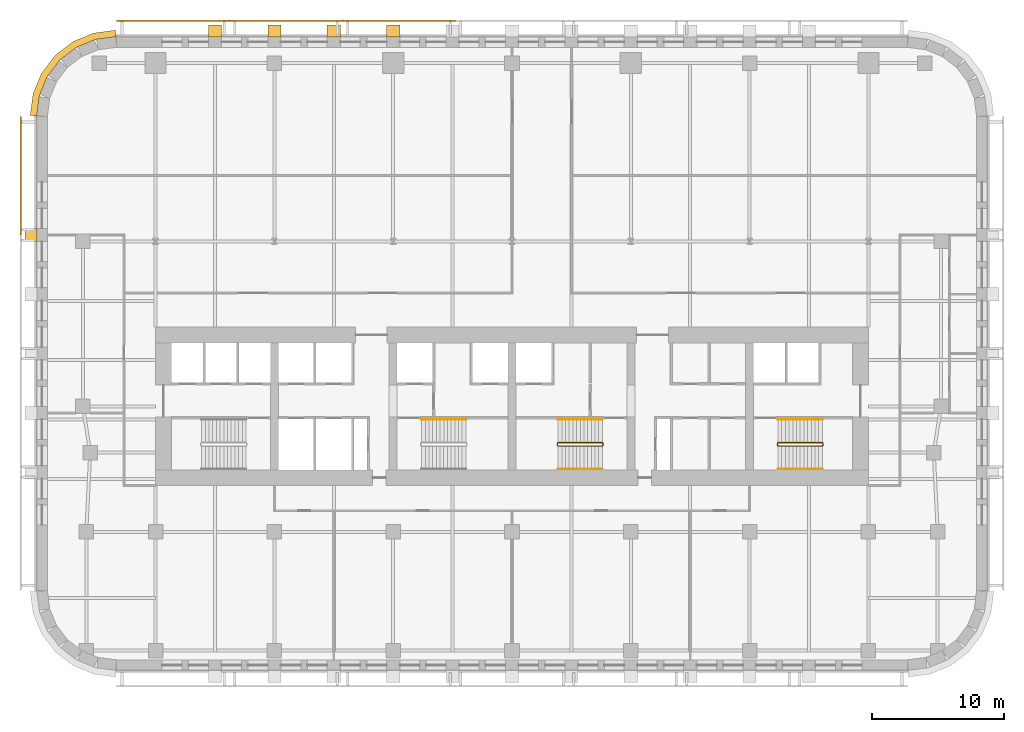
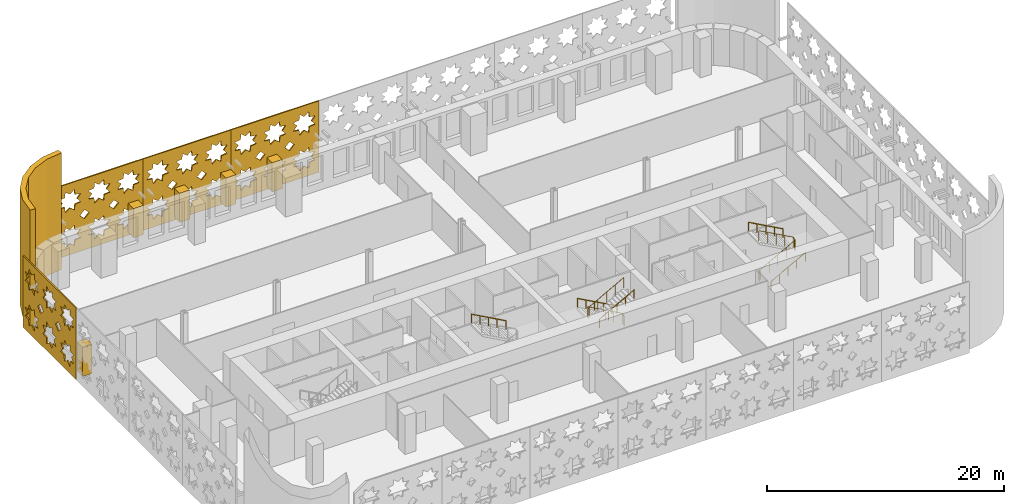
# One storey, part 13 of 15: 10 coverings, 7 railings.
"""IFC4 building model written with IfcOpenShell, lengths in metres."""

from ifc_helpers import new_model, si_unit, direction, frame, origin, origin_2d, place, context, subcontext, project, spatial, polyline, circle, outline, extrude, material, layer, layer_set, type_object, element, save


model = new_model("IFC4")

# Units and contexts
model_context = context("Model", 3, precision=1e-05, world=origin(), true_north=direction((0.0, 1.0)))
body_context = subcontext(model_context, "Body", "Model", "MODEL_VIEW")
ifc_project = project(units=[si_unit("LENGTHUNIT", "METRE"), si_unit("AREAUNIT", "SQUARE_METRE"), si_unit("VOLUMEUNIT", "CUBIC_METRE"), si_unit("PLANEANGLEUNIT", "RADIAN"), si_unit("MASSUNIT", "GRAM", prefix="KILO")], contexts=[model_context])

# Site, building, storey
site_placement = place(None, origin())
site = spatial("IfcSite", under=ifc_project, at=site_placement, CompositionType="ELEMENT")
building_placement = place(site_placement, origin())
building = spatial("IfcBuilding", under=site, at=building_placement, Name="Zellij Exchange Tower", CompositionType="ELEMENT")
storey_placement = place(building_placement, frame((0.0, 0.0, 76.5)))
storey = spatial("IfcBuildingStorey", under=building, at=storey_placement, Name="L15", CompositionType="ELEMENT", Elevation=76.5)

# Railings
ifc_material_1 = material(Name="Stainless steel", Category="steel")
railing_type_1 = type_object("IfcRailingType", Name="CORE-RG stair guard", PredefinedType="GUARDRAIL", material=ifc_material_1)
railing_1_placement = place(storey_placement, frame((6.89990234375, -10.800048828125, 0.0)))
element("IfcRailing", 1, at=railing_1_placement, inside=storey, type_object=railing_type_1, Name="ST3 stair guard L15", PredefinedType="GUARDRAIL", context=body_context, shape_type="SweptSolid", body=[
    extrude(circle(Radius=0.02392578125, at=origin_2d()), frame((0.0, 0.0, 1.076171875), z_axis=(0.0, -1.0, 0.0), x_axis=(1.0, 0.0, 0.0)), (0.0, 0.0, 1.0), 0.14990234375),
    extrude(circle(Radius=0.02392578125, at=origin_2d()), frame((0.0, -0.14990234375, 1.076171875), z_axis=(-0.193691321961, 0.777613689637, 0.598164376644), x_axis=(-0.970351222016, -0.241699205484, 0.0)), (0.0, 0.0, 1.0), 0.257080078125),
    extrude(circle(Radius=0.02392578125, at=origin_2d()), frame((-0.0498046875, 0.050048828125, 1.22998046875), z_axis=(-0.876421534553, 0.0, 0.481544695509), x_axis=(0.0, -1.0, 0.0)), (0.0, 0.0, 1.0), 3.833984375),
    extrude(circle(Radius=0.02392578125, at=origin_2d()), frame((-3.409912109375, 0.050048828125, 3.076171875), z_axis=(-0.707106781187, -0.707106781187, 0.0), x_axis=(0.707106781187, -0.707106781187, 0.0)), (0.0, 0.0, 1.0), 0.07080078125),
    extrude(circle(Radius=0.02392578125, at=origin_2d()), frame((-3.4599609375, 0.0, 3.076171875), z_axis=(0.0, -1.0, 0.0), x_axis=(1.0, 0.0, 0.0)), (0.0, 0.0, 1.0), 0.14990234375),
    extrude(circle(Radius=0.02392578125, at=origin_2d()), frame((-3.4599609375, -0.14990234375, 3.076171875), z_axis=(0.295599637079, -0.295599637079, 0.908428152975), x_axis=(0.707106781187, 0.707106781187, 0.0)), (0.0, 0.0, 1.0), 0.16943359375),
    extrude(circle(Radius=0.02392578125, at=origin_2d()), frame((-3.409912109375, -0.199951171875, 3.22998046875), z_axis=(0.876421534553, 0.0, 0.481544695509), x_axis=(0.0, 1.0, 0.0)), (0.0, 0.0, 1.0), 3.833984375),
    extrude(circle(Radius=0.02099609375, at=origin_2d()), origin(), (0.0, 0.0, 1.0), 1.052001953125),
    extrude(circle(Radius=0.02099609375, at=origin_2d()), frame((0.0, -0.14990234375, 0.0)), (0.0, 0.0, 1.0), 1.052001953125),
    extrude(circle(Radius=0.02099609375, at=origin_2d()), frame((-0.0498046875, 0.050048828125, 0.15380859375)), (0.0, 0.0, 1.0), 1.052001953125),
    extrude(circle(Radius=0.02099609375, at=origin_2d()), frame((-0.889892578125, 0.050048828125, 0.615234375)), (0.0, 0.0, 1.0), 1.052001953125),
    extrude(circle(Radius=0.02099609375, at=origin_2d()), frame((-1.72998046875, 0.050048828125, 1.076904296875)), (0.0, 0.0, 1.0), 1.052001953125),
    extrude(circle(Radius=0.02099609375, at=origin_2d()), frame((-2.56982421875, 0.050048828125, 1.53857421875)), (0.0, 0.0, 1.0), 1.052001953125),
    extrude(circle(Radius=0.02099609375, at=origin_2d()), frame((-3.409912109375, 0.050048828125, 2.0)), (0.0, 0.0, 1.0), 1.052001953125),
    extrude(circle(Radius=0.02099609375, at=origin_2d()), frame((-3.4599609375, 0.0, 2.0)), (0.0, 0.0, 1.0), 1.052001953125),
    extrude(circle(Radius=0.02099609375, at=origin_2d()), frame((-3.4599609375, -0.14990234375, 2.0)), (0.0, 0.0, 1.0), 1.052001953125),
    extrude(circle(Radius=0.02099609375, at=origin_2d()), frame((-3.409912109375, -0.199951171875, 2.15380859375)), (0.0, 0.0, 1.0), 1.052001953125),
    extrude(circle(Radius=0.02099609375, at=origin_2d()), frame((-2.56982421875, -0.199951171875, 2.615234375)), (0.0, 0.0, 1.0), 1.052001953125),
    extrude(circle(Radius=0.02099609375, at=origin_2d()), frame((-1.72998046875, -0.199951171875, 3.076904296875)), (0.0, 0.0, 1.0), 1.052001953125),
    extrude(circle(Radius=0.02099609375, at=origin_2d()), frame((-0.889892578125, -0.199951171875, 3.53857421875)), (0.0, 0.0, 1.0), 1.052001953125),
    extrude(circle(Radius=0.02099609375, at=origin_2d()), frame((-0.0498046875, -0.199951171875, 4.0)), (0.0, 0.0, 1.0), 1.052001953125),
])
railing_2_placement = place(storey_placement, frame((20.10009765625, -10.949951171875, 0.0)))
element("IfcRailing", 2, at=railing_2_placement, inside=storey, type_object=railing_type_1, Name="ST4 stair guard L15", PredefinedType="GUARDRAIL", context=body_context, shape_type="SweptSolid", body=[
    extrude(circle(Radius=0.02392578125, at=origin_2d()), frame((0.0, 0.0, 1.076171875), z_axis=(0.0, 1.0, 0.0), x_axis=(-1.0, 0.0, 0.0)), (0.0, 0.0, 1.0), 0.14990234375),
    extrude(circle(Radius=0.02392578125, at=origin_2d()), frame((0.0, 0.14990234375, 1.076171875), z_axis=(0.193691321961, -0.777613689637, 0.598164376644), x_axis=(0.970351222016, 0.241699205484, 0.0)), (0.0, 0.0, 1.0), 0.257080078125),
    extrude(circle(Radius=0.02392578125, at=origin_2d()), frame((0.0498046875, -0.050048828125, 1.22998046875), z_axis=(0.876421534553, 0.0, 0.481544695509), x_axis=(0.0, 1.0, 0.0)), (0.0, 0.0, 1.0), 3.833984375),
    extrude(circle(Radius=0.02392578125, at=origin_2d()), frame((3.409912109375, -0.050048828125, 3.076171875), z_axis=(0.707106781187, 0.707106781187, 0.0), x_axis=(-0.707106781187, 0.707106781187, 0.0)), (0.0, 0.0, 1.0), 0.07080078125),
    extrude(circle(Radius=0.02392578125, at=origin_2d()), frame((3.4599609375, 0.0, 3.076171875), z_axis=(0.0, 1.0, 0.0), x_axis=(-1.0, 0.0, 0.0)), (0.0, 0.0, 1.0), 0.14990234375),
    extrude(circle(Radius=0.02392578125, at=origin_2d()), frame((3.4599609375, 0.14990234375, 3.076171875), z_axis=(-0.295599637079, 0.295599637079, 0.908428152975), x_axis=(-0.707106781187, -0.707106781187, 0.0)), (0.0, 0.0, 1.0), 0.16943359375),
    extrude(circle(Radius=0.02392578125, at=origin_2d()), frame((3.409912109375, 0.199951171875, 3.22998046875), z_axis=(-0.876421534553, 0.0, 0.481544695509), x_axis=(0.0, -1.0, 0.0)), (0.0, 0.0, 1.0), 3.833984375),
    extrude(circle(Radius=0.02099609375, at=origin_2d()), origin(), (0.0, 0.0, 1.0), 1.052001953125),
    extrude(circle(Radius=0.02099609375, at=origin_2d()), frame((0.0, 0.14990234375, 0.0)), (0.0, 0.0, 1.0), 1.052001953125),
    extrude(circle(Radius=0.02099609375, at=origin_2d()), frame((0.0498046875, -0.050048828125, 0.15380859375)), (0.0, 0.0, 1.0), 1.052001953125),
    extrude(circle(Radius=0.02099609375, at=origin_2d()), frame((0.889892578125, -0.050048828125, 0.615234375)), (0.0, 0.0, 1.0), 1.052001953125),
    extrude(circle(Radius=0.02099609375, at=origin_2d()), frame((1.72998046875, -0.050048828125, 1.076904296875)), (0.0, 0.0, 1.0), 1.052001953125),
    extrude(circle(Radius=0.02099609375, at=origin_2d()), frame((2.56982421875, -0.050048828125, 1.53857421875)), (0.0, 0.0, 1.0), 1.052001953125),
    extrude(circle(Radius=0.02099609375, at=origin_2d()), frame((3.409912109375, -0.050048828125, 2.0)), (0.0, 0.0, 1.0), 1.052001953125),
    extrude(circle(Radius=0.02099609375, at=origin_2d()), frame((3.4599609375, 0.0, 2.0)), (0.0, 0.0, 1.0), 1.052001953125),
    extrude(circle(Radius=0.02099609375, at=origin_2d()), frame((3.4599609375, 0.14990234375, 2.0)), (0.0, 0.0, 1.0), 1.052001953125),
    extrude(circle(Radius=0.02099609375, at=origin_2d()), frame((3.409912109375, 0.199951171875, 2.15380859375)), (0.0, 0.0, 1.0), 1.052001953125),
    extrude(circle(Radius=0.02099609375, at=origin_2d()), frame((2.56982421875, 0.199951171875, 2.615234375)), (0.0, 0.0, 1.0), 1.052001953125),
    extrude(circle(Radius=0.02099609375, at=origin_2d()), frame((1.72998046875, 0.199951171875, 3.076904296875)), (0.0, 0.0, 1.0), 1.052001953125),
    extrude(circle(Radius=0.02099609375, at=origin_2d()), frame((0.889892578125, 0.199951171875, 3.53857421875)), (0.0, 0.0, 1.0), 1.052001953125),
    extrude(circle(Radius=0.02099609375, at=origin_2d()), frame((0.0498046875, 0.199951171875, 4.0)), (0.0, 0.0, 1.0), 1.052001953125),
])
railing_type_2 = type_object("IfcRailingType", Name="CORE-RH stair handrail", PredefinedType="HANDRAIL", material=ifc_material_1)
for number, where, name in (
    (3, (-3.489990234375, -9.0, 2.15380859375), "ST2 stair handrail L15"),
    (4, (6.85009765625, -9.0, 0.15380859375), "ST3 stair handrail L15"),
):
    element("IfcRailing", number, at=place(storey_placement, frame(where)), inside=storey, type_object=railing_type_2, Name=name, PredefinedType="HANDRAIL", context=body_context, shape_type="SweptSolid", body=[
        extrude(circle(Radius=0.02392578125, at=origin_2d()), frame((0.0, 0.0, 0.8759765625), z_axis=(-0.876421534553, 0.0, 0.481544695509), x_axis=(0.0, -1.0, 0.0)), (0.0, 0.0, 1.0), 3.833984375),
        extrude(circle(Radius=0.02099609375, at=origin_2d()), origin(), (0.0, 0.0, 1.0), 0.851806640625),
        extrude(circle(Radius=0.02099609375, at=origin_2d()), frame((-0.840087890625, 0.0, 0.46142578125)), (0.0, 0.0, 1.0), 0.851806640625),
        extrude(circle(Radius=0.02099609375, at=origin_2d()), frame((-1.68017578125, 0.0, 0.923095703125)), (0.0, 0.0, 1.0), 0.851806640625),
        extrude(circle(Radius=0.02099609375, at=origin_2d()), frame((-2.52001953125, 0.0, 1.384765625)), (0.0, 0.0, 1.0), 0.851806640625),
        extrude(circle(Radius=0.02099609375, at=origin_2d()), frame((-3.360107421875, 0.0, 1.84619140625)), (0.0, 0.0, 1.0), 0.851806640625),
    ])
for number, where, name in (
    (5, (3.489990234375, -12.75, 2.15380859375), "ST3 stair handrail L15"),
    (6, (20.14990234375, -12.75, 0.15380859375), "ST4 stair handrail L15"),
):
    element("IfcRailing", number, at=place(storey_placement, frame(where)), inside=storey, type_object=railing_type_2, Name=name, PredefinedType="HANDRAIL", context=body_context, shape_type="SweptSolid", body=[
        extrude(circle(Radius=0.02392578125, at=origin_2d()), frame((0.0, 0.0, 0.8759765625), z_axis=(0.876421534553, 0.0, 0.481544695509), x_axis=(0.0, 1.0, 0.0)), (0.0, 0.0, 1.0), 3.833984375),
        extrude(circle(Radius=0.02099609375, at=origin_2d()), origin(), (0.0, 0.0, 1.0), 0.851806640625),
        extrude(circle(Radius=0.02099609375, at=origin_2d()), frame((0.840087890625, 0.0, 0.46142578125)), (0.0, 0.0, 1.0), 0.851806640625),
        extrude(circle(Radius=0.02099609375, at=origin_2d()), frame((1.68017578125, 0.0, 0.923095703125)), (0.0, 0.0, 1.0), 0.851806640625),
        extrude(circle(Radius=0.02099609375, at=origin_2d()), frame((2.52001953125, 0.0, 1.384765625)), (0.0, 0.0, 1.0), 0.851806640625),
        extrude(circle(Radius=0.02099609375, at=origin_2d()), frame((3.360107421875, 0.0, 1.84619140625)), (0.0, 0.0, 1.0), 0.851806640625),
    ])
railing_3_placement = place(storey_placement, frame((23.510009765625, -9.0, 2.15380859375)))
element("IfcRailing", 7, at=railing_3_placement, inside=storey, type_object=railing_type_2, Name="ST4 stair handrail L15", PredefinedType="HANDRAIL", context=body_context, shape_type="SweptSolid", body=[
    extrude(circle(Radius=0.02392578125, at=origin_2d()), frame((0.0, 0.0, 0.8759765625), z_axis=(-0.876421534553, 0.0, 0.481544695509), x_axis=(0.0, -1.0, 0.0)), (0.0, 0.0, 1.0), 3.833984375),
    extrude(circle(Radius=0.02099609375, at=origin_2d()), origin(), (0.0, 0.0, 1.0), 0.851806640625),
    extrude(circle(Radius=0.02099609375, at=origin_2d()), frame((-0.840087890625, 0.0, 0.46142578125)), (0.0, 0.0, 1.0), 0.851806640625),
    extrude(circle(Radius=0.02099609375, at=origin_2d()), frame((-1.68017578125, 0.0, 0.923095703125)), (0.0, 0.0, 1.0), 0.851806640625),
    extrude(circle(Radius=0.02099609375, at=origin_2d()), frame((-2.52001953125, 0.0, 1.384765625)), (0.0, 0.0, 1.0), 0.851806640625),
    extrude(circle(Radius=0.02099609375, at=origin_2d()), frame((-3.360107421875, 0.0, 1.84619140625)), (0.0, 0.0, 1.0), 0.851806640625),
])

# Coverings
ifc_material_2 = material(Name="Limestone cladding", Category="masonry")
ifc_layer_1 = layer(ifc_material_2, 0.5)
ifc_layer_set_1 = layer_set([ifc_layer_1], Name="Limestone cladding")
covering_type_1 = type_object("IfcCoveringType", Name="ENV-CV12 Stone corner pier 500", PredefinedType="CLADDING", material=ifc_layer_set_1)
covering_1_placement = place(storey_placement, origin())
element("IfcCovering", 8, at=covering_1_placement, inside=storey, type_object=covering_type_1, Name="Stone corner pier", PredefinedType="CLADDING", context=body_context, shape_type="SweptSolid", body=[
    extrude(outline(polyline([(-30.0, 20.0), (-31.552978515625, 19.795654296875), (-33.0, 19.1962890625), (-34.24267578125, 18.24267578125), (-35.1962890625, 17.0), (-35.795654296875, 15.552978515625), (-36.0, 14.0), (-36.5, 14.03271484375), (-36.28271484375, 15.683349609375), (-35.6328125, 17.252197265625), (-34.59912109375, 18.59912109375), (-33.252197265625, 19.6328125), (-31.683349609375, 20.28271484375), (-30.03271484375, 20.5), (-30.0, 20.0)])), origin(), (0.0, 0.0, 1.0), 12.0),
])
covering_type_2 = type_object("IfcCoveringType", Name="ENV-CV2 Stone pier 1000x900", PredefinedType="CLADDING", material=ifc_material_2)
covering_2_placement = place(storey_placement, frame((0.0, 0.0, 0.800048828125)))
element("IfcCovering", 9, at=covering_2_placement, inside=storey, type_object=covering_type_2, Name="Stone pier", PredefinedType="CLADDING", context=body_context, shape_type="SweptSolid", body=[
    extrude(outline(polyline([(-8.5, 20.0), (-9.5, 20.0), (-9.5, 20.89990234375), (-8.5, 20.89990234375), (-8.5, 20.0)])), origin(), (0.0, 0.0, 1.0), 3.0),
])
covering_3_placement = place(storey_placement, frame((0.0, 0.0, 0.800048828125)))
element("IfcCovering", 10, at=covering_3_placement, inside=storey, type_object=covering_type_2, Name="Stone pier", PredefinedType="CLADDING", context=body_context, shape_type="SweptSolid", body=[
    extrude(outline(polyline([(-13.0, 20.0), (-14.0, 20.0), (-14.0, 20.89990234375), (-13.0, 20.89990234375), (-13.0, 20.0)])), origin(), (0.0, 0.0, 1.0), 3.0),
])
covering_4_placement = place(storey_placement, frame((0.0, 0.0, 0.800048828125)))
element("IfcCovering", 11, at=covering_4_placement, inside=storey, type_object=covering_type_2, Name="Stone pier", PredefinedType="CLADDING", context=body_context, shape_type="SweptSolid", body=[
    extrude(outline(polyline([(-17.5, 20.0), (-18.5, 20.0), (-18.5, 20.89990234375), (-17.5, 20.89990234375), (-17.5, 20.0)])), origin(), (0.0, 0.0, 1.0), 3.0),
])
covering_5_placement = place(storey_placement, frame((0.0, 0.0, 0.800048828125)))
element("IfcCovering", 12, at=covering_5_placement, inside=storey, type_object=covering_type_2, Name="Stone pier", PredefinedType="CLADDING", context=body_context, shape_type="SweptSolid", body=[
    extrude(outline(polyline([(-22.0, 20.0), (-23.0, 20.0), (-23.0, 20.89990234375), (-22.0, 20.89990234375), (-22.0, 20.0)])), origin(), (0.0, 0.0, 1.0), 3.0),
])
covering_6_placement = place(storey_placement, frame((0.0, 0.0, 0.800048828125)))
element("IfcCovering", 13, at=covering_6_placement, inside=storey, type_object=covering_type_2, Name="Stone pier", PredefinedType="CLADDING", context=body_context, shape_type="SweptSolid", body=[
    extrude(outline(polyline([(-36.0, 5.48681640625), (-36.0, 4.48681640625), (-36.89990234375, 4.48681640625), (-36.89990234375, 5.48681640625), (-36.0, 5.48681640625)])), origin(), (0.0, 0.0, 1.0), 3.0),
])
ifc_material_3 = material(Name="Limestone screen", Category="masonry")
ifc_layer_2 = layer(ifc_material_3, 0.1201171875)
ifc_layer_set_2 = layer_set([ifc_layer_2], Name="Limestone screen")
covering_type_3 = type_object("IfcCoveringType", Name="ENV-SC1 Pierced stone screen 120", PredefinedType="USERDEFINED", material=ifc_layer_set_2)
covering_7_placement = place(storey_placement, frame((-37.2099609375, 13.947509765625, 0.300048828125), z_axis=(0.0, 0.0, 1.0), x_axis=(0.0, -1.0, 0.0)))
element("IfcCovering", 14, at=covering_7_placement, inside=storey, type_object=covering_type_3, Name="Pierced stone screen", ObjectType="SCREEN", PredefinedType="USERDEFINED", context=body_context, shape_type="SweptSolid", body=[
    extrude(outline(polyline([(0.0, 0.0), (8.973876953125, 0.0), (8.973876953125, 7.35009765625), (0.0, 7.35009765625), (0.0, 0.0)]), holes=[polyline([(2.60107421875, 2.29541015625), (2.020263671875, 2.362060546875), (1.95361328125, 2.94287109375), (1.49560546875, 2.579345703125), (1.03759765625, 2.94287109375), (0.97119140625, 2.362060546875), (0.39013671875, 2.29541015625), (0.75390625, 1.83740234375), (0.39013671875, 1.379638671875), (0.97119140625, 1.31298828125), (1.03759765625, 0.732177734375), (1.49560546875, 1.095703125), (1.95361328125, 0.732177734375), (2.020263671875, 1.31298828125), (2.60107421875, 1.379638671875), (2.237548828125, 1.83740234375), (2.60107421875, 2.29541015625)]), polyline([(2.60107421875, 5.970458984375), (2.020263671875, 6.037109375), (1.95361328125, 6.617919921875), (1.49560546875, 6.25439453125), (1.03759765625, 6.617919921875), (0.97119140625, 6.037109375), (0.39013671875, 5.970458984375), (0.75390625, 5.512451171875), (0.39013671875, 5.0546875), (0.97119140625, 4.98779296875), (1.03759765625, 4.406982421875), (1.49560546875, 4.770751953125), (1.95361328125, 4.406982421875), (2.020263671875, 4.98779296875), (2.60107421875, 5.0546875), (2.237548828125, 5.512451171875), (2.60107421875, 5.970458984375)]), polyline([(5.59228515625, 2.29541015625), (5.011474609375, 2.362060546875), (4.94482421875, 2.94287109375), (4.48681640625, 2.579345703125), (4.029052734375, 2.94287109375), (3.96240234375, 2.362060546875), (3.381591796875, 2.29541015625), (3.7451171875, 1.83740234375), (3.381591796875, 1.379638671875), (3.96240234375, 1.31298828125), (4.029052734375, 0.732177734375), (4.48681640625, 1.095703125), (4.94482421875, 0.732177734375), (5.011474609375, 1.31298828125), (5.59228515625, 1.379638671875), (5.228759765625, 1.83740234375), (5.59228515625, 2.29541015625)]), polyline([(5.59228515625, 5.970458984375), (5.011474609375, 6.037109375), (4.94482421875, 6.617919921875), (4.48681640625, 6.25439453125), (4.029052734375, 6.617919921875), (3.96240234375, 6.037109375), (3.381591796875, 5.970458984375), (3.7451171875, 5.512451171875), (3.381591796875, 5.0546875), (3.96240234375, 4.98779296875), (4.029052734375, 4.406982421875), (4.48681640625, 4.770751953125), (4.94482421875, 4.406982421875), (5.011474609375, 4.98779296875), (5.59228515625, 5.0546875), (5.228759765625, 5.512451171875), (5.59228515625, 5.970458984375)]), polyline([(8.58349609375, 2.29541015625), (8.002685546875, 2.362060546875), (7.93603515625, 2.94287109375), (7.478271484375, 2.579345703125), (7.020263671875, 2.94287109375), (6.95361328125, 2.362060546875), (6.372802734375, 2.29541015625), (6.736328125, 1.83740234375), (6.372802734375, 1.379638671875), (6.95361328125, 1.31298828125), (7.020263671875, 0.732177734375), (7.478271484375, 1.095703125), (7.93603515625, 0.732177734375), (8.002685546875, 1.31298828125), (8.58349609375, 1.379638671875), (8.219970703125, 1.83740234375), (8.58349609375, 2.29541015625)]), polyline([(8.58349609375, 5.970458984375), (8.002685546875, 6.037109375), (7.93603515625, 6.617919921875), (7.478271484375, 6.25439453125), (7.020263671875, 6.617919921875), (6.95361328125, 6.037109375), (6.372802734375, 5.970458984375), (6.736328125, 5.512451171875), (6.372802734375, 5.0546875), (6.95361328125, 4.98779296875), (7.020263671875, 4.406982421875), (7.478271484375, 4.770751953125), (7.93603515625, 4.406982421875), (8.002685546875, 4.98779296875), (8.58349609375, 5.0546875), (8.219970703125, 5.512451171875), (8.58349609375, 5.970458984375)]), polyline([(3.469970703125, 3.675048828125), (2.9912109375, 4.153564453125), (2.5126953125, 3.675048828125), (2.9912109375, 3.1962890625), (3.469970703125, 3.675048828125)]), polyline([(6.461181640625, 3.675048828125), (5.982421875, 4.153564453125), (5.50390625, 3.675048828125), (5.982421875, 3.1962890625), (6.461181640625, 3.675048828125)])]), frame((0.0, 0.06005859375, 0.0), z_axis=(0.0, -1.0, 0.0), x_axis=(1.0, 0.0, 0.0)), (0.0, 0.0, 1.0), 0.1201171875),
])
covering_8_placement = place(storey_placement, frame((-4.2783203125, 21.2099609375, 0.300048828125), z_axis=(0.0, 0.0, 1.0), x_axis=(-1.0, 0.0, 0.0)))
element("IfcCovering", 15, at=covering_8_placement, inside=storey, type_object=covering_type_3, Name="Pierced stone screen", ObjectType="SCREEN", PredefinedType="USERDEFINED", context=body_context, shape_type="SweptSolid", body=[
    extrude(outline(polyline([(0.0, 0.0), (8.556396484375, 0.0), (8.556396484375, 7.35009765625), (0.0, 7.35009765625), (0.0, 0.0)]), holes=[polyline([(2.47998046875, 2.274169921875), (1.92626953125, 2.337646484375), (1.86279296875, 2.8916015625), (1.426025390625, 2.544921875), (0.989501953125, 2.8916015625), (0.92578125, 2.337646484375), (0.3720703125, 2.274169921875), (0.71875, 1.83740234375), (0.3720703125, 1.40087890625), (0.92578125, 1.33740234375), (0.989501953125, 0.783447265625), (1.426025390625, 1.130126953125), (1.86279296875, 0.783447265625), (1.92626953125, 1.33740234375), (2.47998046875, 1.40087890625), (2.13330078125, 1.83740234375), (2.47998046875, 2.274169921875)]), polyline([(2.47998046875, 5.94921875), (1.92626953125, 6.0126953125), (1.86279296875, 6.56640625), (1.426025390625, 6.2197265625), (0.989501953125, 6.56640625), (0.92578125, 6.0126953125), (0.3720703125, 5.94921875), (0.71875, 5.512451171875), (0.3720703125, 5.075927734375), (0.92578125, 5.01220703125), (0.989501953125, 4.45849609375), (1.426025390625, 4.80517578125), (1.86279296875, 4.45849609375), (1.92626953125, 5.01220703125), (2.47998046875, 5.075927734375), (2.13330078125, 5.512451171875), (2.47998046875, 5.94921875)]), polyline([(5.332275390625, 2.274169921875), (4.7783203125, 2.337646484375), (4.71484375, 2.8916015625), (4.2783203125, 2.544921875), (3.841552734375, 2.8916015625), (3.778076171875, 2.337646484375), (3.22412109375, 2.274169921875), (3.57080078125, 1.83740234375), (3.22412109375, 1.40087890625), (3.778076171875, 1.33740234375), (3.841552734375, 0.783447265625), (4.2783203125, 1.130126953125), (4.71484375, 0.783447265625), (4.7783203125, 1.33740234375), (5.332275390625, 1.40087890625), (4.985595703125, 1.83740234375), (5.332275390625, 2.274169921875)]), polyline([(5.332275390625, 5.94921875), (4.7783203125, 6.0126953125), (4.71484375, 6.56640625), (4.2783203125, 6.2197265625), (3.841552734375, 6.56640625), (3.778076171875, 6.0126953125), (3.22412109375, 5.94921875), (3.57080078125, 5.512451171875), (3.22412109375, 5.075927734375), (3.778076171875, 5.01220703125), (3.841552734375, 4.45849609375), (4.2783203125, 4.80517578125), (4.71484375, 4.45849609375), (4.7783203125, 5.01220703125), (5.332275390625, 5.075927734375), (4.985595703125, 5.512451171875), (5.332275390625, 5.94921875)]), polyline([(8.184326171875, 2.274169921875), (7.630615234375, 2.337646484375), (7.56689453125, 2.8916015625), (7.13037109375, 2.544921875), (6.69384765625, 2.8916015625), (6.630126953125, 2.337646484375), (6.076416015625, 2.274169921875), (6.423095703125, 1.83740234375), (6.076416015625, 1.40087890625), (6.630126953125, 1.33740234375), (6.69384765625, 0.783447265625), (7.13037109375, 1.130126953125), (7.56689453125, 0.783447265625), (7.630615234375, 1.33740234375), (8.184326171875, 1.40087890625), (7.837646484375, 1.83740234375), (8.184326171875, 2.274169921875)]), polyline([(8.184326171875, 5.94921875), (7.630615234375, 6.0126953125), (7.56689453125, 6.56640625), (7.13037109375, 6.2197265625), (6.69384765625, 6.56640625), (6.630126953125, 6.0126953125), (6.076416015625, 5.94921875), (6.423095703125, 5.512451171875), (6.076416015625, 5.075927734375), (6.630126953125, 5.01220703125), (6.69384765625, 4.45849609375), (7.13037109375, 4.80517578125), (7.56689453125, 4.45849609375), (7.630615234375, 5.01220703125), (8.184326171875, 5.075927734375), (7.837646484375, 5.512451171875), (8.184326171875, 5.94921875)]), polyline([(3.30859375, 3.675048828125), (2.852294921875, 4.13134765625), (2.395751953125, 3.675048828125), (2.852294921875, 3.21875), (3.30859375, 3.675048828125)]), polyline([(6.16064453125, 3.675048828125), (5.704345703125, 4.13134765625), (5.248046875, 3.675048828125), (5.704345703125, 3.21875), (6.16064453125, 3.675048828125)])]), frame((0.0, 0.06005859375, 0.0), z_axis=(0.0, -1.0, 0.0), x_axis=(1.0, 0.0, 0.0)), (0.0, 0.0, 1.0), 0.1201171875),
])
covering_9_placement = place(storey_placement, frame((-12.834716796875, 21.2099609375, 0.300048828125), z_axis=(0.0, 0.0, 1.0), x_axis=(-1.0, 0.0, 0.0)))
element("IfcCovering", 16, at=covering_9_placement, inside=storey, type_object=covering_type_3, Name="Pierced stone screen", ObjectType="SCREEN", PredefinedType="USERDEFINED", context=body_context, shape_type="SweptSolid", body=[
    extrude(outline(polyline([(0.0, 0.0), (8.556396484375, 0.0), (8.556396484375, 7.35009765625), (0.0, 7.35009765625), (0.0, 0.0)]), holes=[polyline([(2.47998046875, 2.274169921875), (1.92626953125, 2.337646484375), (1.86279296875, 2.8916015625), (1.426025390625, 2.544921875), (0.989501953125, 2.8916015625), (0.92578125, 2.337646484375), (0.3720703125, 2.274169921875), (0.71875, 1.83740234375), (0.3720703125, 1.40087890625), (0.92578125, 1.33740234375), (0.989501953125, 0.783447265625), (1.426025390625, 1.130126953125), (1.86279296875, 0.783447265625), (1.92626953125, 1.33740234375), (2.47998046875, 1.40087890625), (2.13330078125, 1.83740234375), (2.47998046875, 2.274169921875)]), polyline([(2.47998046875, 5.94921875), (1.92626953125, 6.0126953125), (1.86279296875, 6.56640625), (1.426025390625, 6.2197265625), (0.989501953125, 6.56640625), (0.92578125, 6.0126953125), (0.3720703125, 5.94921875), (0.71875, 5.512451171875), (0.3720703125, 5.075927734375), (0.92578125, 5.01220703125), (0.989501953125, 4.45849609375), (1.426025390625, 4.80517578125), (1.86279296875, 4.45849609375), (1.92626953125, 5.01220703125), (2.47998046875, 5.075927734375), (2.13330078125, 5.512451171875), (2.47998046875, 5.94921875)]), polyline([(5.332275390625, 2.274169921875), (4.7783203125, 2.337646484375), (4.71484375, 2.8916015625), (4.2783203125, 2.544921875), (3.841552734375, 2.8916015625), (3.778076171875, 2.337646484375), (3.22412109375, 2.274169921875), (3.57080078125, 1.83740234375), (3.22412109375, 1.40087890625), (3.778076171875, 1.33740234375), (3.841552734375, 0.783447265625), (4.2783203125, 1.130126953125), (4.71484375, 0.783447265625), (4.7783203125, 1.33740234375), (5.332275390625, 1.40087890625), (4.985595703125, 1.83740234375), (5.332275390625, 2.274169921875)]), polyline([(5.332275390625, 5.94921875), (4.7783203125, 6.0126953125), (4.71484375, 6.56640625), (4.2783203125, 6.2197265625), (3.841552734375, 6.56640625), (3.778076171875, 6.0126953125), (3.22412109375, 5.94921875), (3.57080078125, 5.512451171875), (3.22412109375, 5.075927734375), (3.778076171875, 5.01220703125), (3.841552734375, 4.45849609375), (4.2783203125, 4.80517578125), (4.71484375, 4.45849609375), (4.7783203125, 5.01220703125), (5.332275390625, 5.075927734375), (4.985595703125, 5.512451171875), (5.332275390625, 5.94921875)]), polyline([(8.184326171875, 2.274169921875), (7.630615234375, 2.337646484375), (7.56689453125, 2.8916015625), (7.13037109375, 2.544921875), (6.69384765625, 2.8916015625), (6.630126953125, 2.337646484375), (6.076416015625, 2.274169921875), (6.423095703125, 1.83740234375), (6.076416015625, 1.40087890625), (6.630126953125, 1.33740234375), (6.69384765625, 0.783447265625), (7.13037109375, 1.130126953125), (7.56689453125, 0.783447265625), (7.630615234375, 1.33740234375), (8.184326171875, 1.40087890625), (7.837646484375, 1.83740234375), (8.184326171875, 2.274169921875)]), polyline([(8.184326171875, 5.94921875), (7.630615234375, 6.0126953125), (7.56689453125, 6.56640625), (7.13037109375, 6.2197265625), (6.69384765625, 6.56640625), (6.630126953125, 6.0126953125), (6.076416015625, 5.94921875), (6.423095703125, 5.512451171875), (6.076416015625, 5.075927734375), (6.630126953125, 5.01220703125), (6.69384765625, 4.45849609375), (7.13037109375, 4.80517578125), (7.56689453125, 4.45849609375), (7.630615234375, 5.01220703125), (8.184326171875, 5.075927734375), (7.837646484375, 5.512451171875), (8.184326171875, 5.94921875)]), polyline([(3.30859375, 3.675048828125), (2.852294921875, 4.13134765625), (2.395751953125, 3.675048828125), (2.852294921875, 3.21875), (3.30859375, 3.675048828125)]), polyline([(6.16064453125, 3.675048828125), (5.704345703125, 4.13134765625), (5.248046875, 3.675048828125), (5.704345703125, 3.21875), (6.16064453125, 3.675048828125)])]), frame((0.0, 0.06005859375, 0.0), z_axis=(0.0, -1.0, 0.0), x_axis=(1.0, 0.0, 0.0)), (0.0, 0.0, 1.0), 0.1201171875),
])
covering_10_placement = place(storey_placement, frame((-21.39111328125, 21.2099609375, 0.300048828125), z_axis=(0.0, 0.0, 1.0), x_axis=(-1.0, 0.0, 0.0)))
element("IfcCovering", 17, at=covering_10_placement, inside=storey, type_object=covering_type_3, Name="Pierced stone screen", ObjectType="SCREEN", PredefinedType="USERDEFINED", context=body_context, shape_type="SweptSolid", body=[
    extrude(outline(polyline([(0.0, 0.0), (8.556396484375, 0.0), (8.556396484375, 7.35009765625), (0.0, 7.35009765625), (0.0, 0.0)]), holes=[polyline([(2.47998046875, 2.274169921875), (1.92626953125, 2.337646484375), (1.86279296875, 2.8916015625), (1.426025390625, 2.544921875), (0.989501953125, 2.8916015625), (0.92578125, 2.337646484375), (0.3720703125, 2.274169921875), (0.71875, 1.83740234375), (0.3720703125, 1.40087890625), (0.92578125, 1.33740234375), (0.989501953125, 0.783447265625), (1.426025390625, 1.130126953125), (1.86279296875, 0.783447265625), (1.92626953125, 1.33740234375), (2.47998046875, 1.40087890625), (2.13330078125, 1.83740234375), (2.47998046875, 2.274169921875)]), polyline([(2.47998046875, 5.94921875), (1.92626953125, 6.0126953125), (1.86279296875, 6.56640625), (1.426025390625, 6.2197265625), (0.989501953125, 6.56640625), (0.92578125, 6.0126953125), (0.3720703125, 5.94921875), (0.71875, 5.512451171875), (0.3720703125, 5.075927734375), (0.92578125, 5.01220703125), (0.989501953125, 4.45849609375), (1.426025390625, 4.80517578125), (1.86279296875, 4.45849609375), (1.92626953125, 5.01220703125), (2.47998046875, 5.075927734375), (2.13330078125, 5.512451171875), (2.47998046875, 5.94921875)]), polyline([(5.332275390625, 2.274169921875), (4.7783203125, 2.337646484375), (4.71484375, 2.8916015625), (4.2783203125, 2.544921875), (3.841552734375, 2.8916015625), (3.778076171875, 2.337646484375), (3.22412109375, 2.274169921875), (3.57080078125, 1.83740234375), (3.22412109375, 1.40087890625), (3.778076171875, 1.33740234375), (3.841552734375, 0.783447265625), (4.2783203125, 1.130126953125), (4.71484375, 0.783447265625), (4.7783203125, 1.33740234375), (5.332275390625, 1.40087890625), (4.985595703125, 1.83740234375), (5.332275390625, 2.274169921875)]), polyline([(5.332275390625, 5.94921875), (4.7783203125, 6.0126953125), (4.71484375, 6.56640625), (4.2783203125, 6.2197265625), (3.841552734375, 6.56640625), (3.778076171875, 6.0126953125), (3.22412109375, 5.94921875), (3.57080078125, 5.512451171875), (3.22412109375, 5.075927734375), (3.778076171875, 5.01220703125), (3.841552734375, 4.45849609375), (4.2783203125, 4.80517578125), (4.71484375, 4.45849609375), (4.7783203125, 5.01220703125), (5.332275390625, 5.075927734375), (4.985595703125, 5.512451171875), (5.332275390625, 5.94921875)]), polyline([(8.184326171875, 2.274169921875), (7.630615234375, 2.337646484375), (7.56689453125, 2.8916015625), (7.13037109375, 2.544921875), (6.69384765625, 2.8916015625), (6.630126953125, 2.337646484375), (6.076416015625, 2.274169921875), (6.423095703125, 1.83740234375), (6.076416015625, 1.40087890625), (6.630126953125, 1.33740234375), (6.69384765625, 0.783447265625), (7.13037109375, 1.130126953125), (7.56689453125, 0.783447265625), (7.630615234375, 1.33740234375), (8.184326171875, 1.40087890625), (7.837646484375, 1.83740234375), (8.184326171875, 2.274169921875)]), polyline([(8.184326171875, 5.94921875), (7.630615234375, 6.0126953125), (7.56689453125, 6.56640625), (7.13037109375, 6.2197265625), (6.69384765625, 6.56640625), (6.630126953125, 6.0126953125), (6.076416015625, 5.94921875), (6.423095703125, 5.512451171875), (6.076416015625, 5.075927734375), (6.630126953125, 5.01220703125), (6.69384765625, 4.45849609375), (7.13037109375, 4.80517578125), (7.56689453125, 4.45849609375), (7.630615234375, 5.01220703125), (8.184326171875, 5.075927734375), (7.837646484375, 5.512451171875), (8.184326171875, 5.94921875)]), polyline([(3.30859375, 3.675048828125), (2.852294921875, 4.13134765625), (2.395751953125, 3.675048828125), (2.852294921875, 3.21875), (3.30859375, 3.675048828125)]), polyline([(6.16064453125, 3.675048828125), (5.704345703125, 4.13134765625), (5.248046875, 3.675048828125), (5.704345703125, 3.21875), (6.16064453125, 3.675048828125)])]), frame((0.0, 0.06005859375, 0.0), z_axis=(0.0, -1.0, 0.0), x_axis=(1.0, 0.0, 0.0)), (0.0, 0.0, 1.0), 0.1201171875),
])

save(model, "model.ifc")
